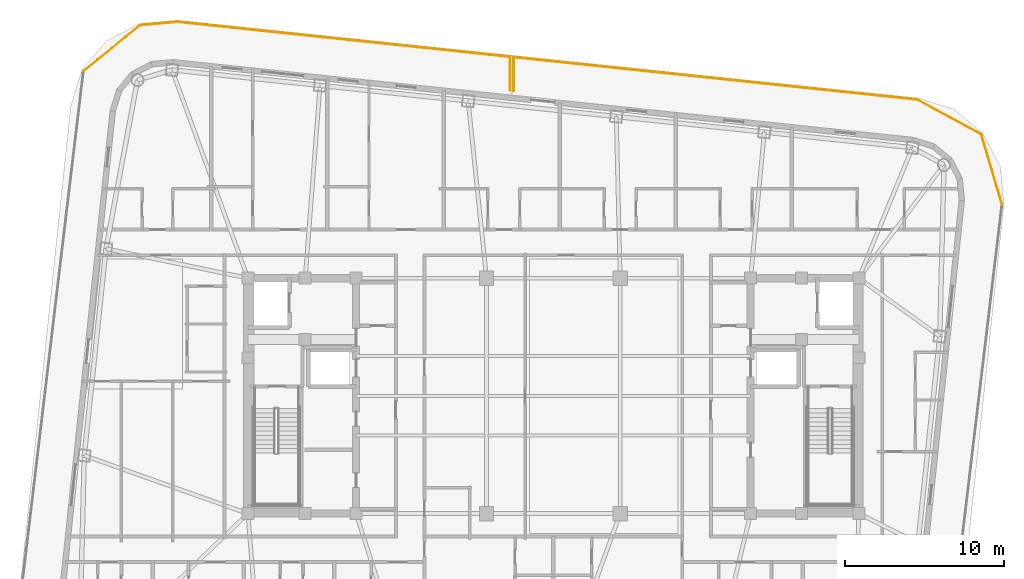
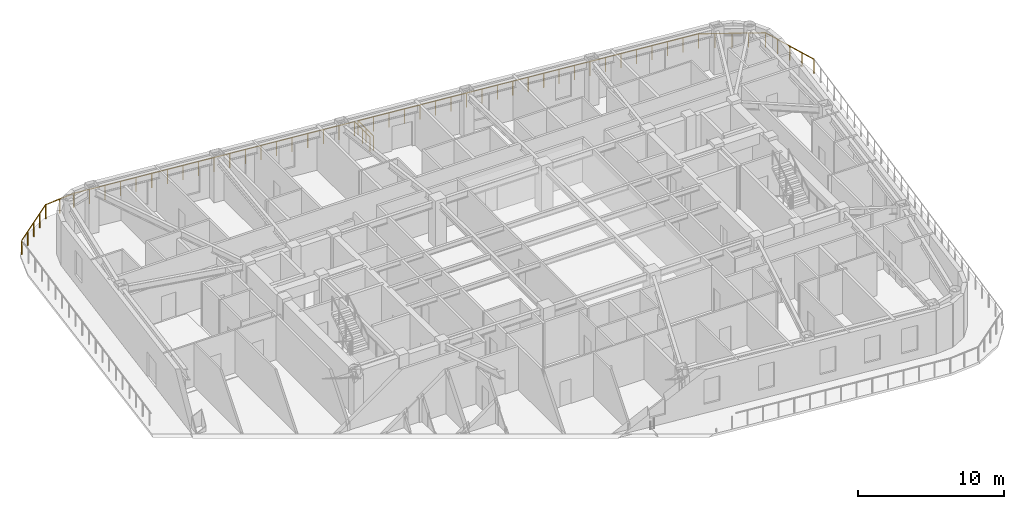
# One storey, part 14 of 14: 8 railings.
"""IFC4 building model written with IfcOpenShell, lengths in metres."""

from ifc_helpers import new_model, si_unit, direction, frame, origin, origin_2d, place, context, subcontext, project, spatial, circle, extrude, material, type_object, element, save


model = new_model("IFC4")

# Units and contexts
model_context = context("Model", 3, precision=1e-05, world=origin(), true_north=direction((0.0, 1.0)))
body_context = subcontext(model_context, "Body", "Model", "MODEL_VIEW")
ifc_project = project(units=[si_unit("LENGTHUNIT", "METRE"), si_unit("AREAUNIT", "SQUARE_METRE"), si_unit("VOLUMEUNIT", "CUBIC_METRE"), si_unit("PLANEANGLEUNIT", "RADIAN"), si_unit("MASSUNIT", "GRAM", prefix="KILO")], contexts=[model_context])

# Site, building, storey
site_placement = place(None, origin())
site = spatial("IfcSite", under=ifc_project, at=site_placement, CompositionType="ELEMENT")
building_placement = place(site_placement, origin())
building = spatial("IfcBuilding", under=site, at=building_placement, Name="Voryun Gate Residences", CompositionType="ELEMENT")
storey_placement = place(building_placement, frame((0.0, 0.0, 291.199951171875)))
storey = spatial("IfcBuildingStorey", under=building, at=storey_placement, Name="L72", CompositionType="ELEMENT", Elevation=291.199951171875)

# Railings
ifc_material = material(Name="Anodised aluminium", Category="aluminium")
railing_type = type_object("IfcRailingType", Name="RAIL_BALCONY_GUARD_1200", PredefinedType="GUARDRAIL", material=ifc_material)
railing_1_placement = place(storey_placement, frame((-29.5361328125, 20.4150390625, 0.0)))
element("IfcRailing", 1, at=railing_1_placement, inside=storey, type_object=railing_type, Name="Terrace guard RL-L72-P1L1-04", PredefinedType="GUARDRAIL", context=body_context, shape_type="SweptSolid", body=[
    extrude(circle(Radius=0.02392578125, at=origin_2d()), frame((0.0, 0.0, 1.17578125), z_axis=(0.777142956808, 0.629324101465, 0.0), x_axis=(-0.629324101465, 0.777142956808, 0.0)), (0.0, 0.0, 1.0), 4.574951171875),
    extrude(circle(Radius=0.02099609375, at=origin_2d()), origin(), (0.0, 0.0, 1.0), 1.15185546875),
    extrude(circle(Radius=0.02099609375, at=origin_2d()), frame((0.888916015625, 0.7197265625, 0.0)), (0.0, 0.0, 1.0), 1.15185546875),
    extrude(circle(Radius=0.02099609375, at=origin_2d()), frame((1.77783203125, 1.439453125, 0.0)), (0.0, 0.0, 1.0), 1.15185546875),
    extrude(circle(Radius=0.02099609375, at=origin_2d()), frame((2.66650390625, 2.159423828125, 0.0)), (0.0, 0.0, 1.0), 1.15185546875),
    extrude(circle(Radius=0.02099609375, at=origin_2d()), frame((3.555419921875, 2.879150390625, 0.0)), (0.0, 0.0, 1.0), 1.15185546875),
])
railing_2_placement = place(storey_placement, frame((-25.980712890625, 23.294189453125, 0.0)))
element("IfcRailing", 2, at=railing_2_placement, inside=storey, type_object=railing_type, Name="Terrace guard RL-L72-P1L1-05", PredefinedType="GUARDRAIL", context=body_context, shape_type="SweptSolid", body=[
    extrude(circle(Radius=0.02392578125, at=origin_2d()), frame((0.0, 0.0, 1.17578125), z_axis=(0.995802234951, 0.091530917549, 0.0), x_axis=(-0.091530917549, 0.995802234951, 0.0)), (0.0, 0.0, 1.0), 2.344482421875),
    extrude(circle(Radius=0.02099609375, at=origin_2d()), origin(), (0.0, 0.0, 1.0), 1.15185546875),
    extrude(circle(Radius=0.02099609375, at=origin_2d()), frame((1.16748046875, 0.107421875, 0.0)), (0.0, 0.0, 1.0), 1.15185546875),
    extrude(circle(Radius=0.02099609375, at=origin_2d()), frame((2.334716796875, 0.214599609375, 0.0)), (0.0, 0.0, 1.0), 1.15185546875),
])
railing_3_placement = place(storey_placement, frame((-23.64599609375, 23.5087890625, 0.0)))
element("IfcRailing", 3, at=railing_3_placement, inside=storey, type_object=railing_type, Name="Terrace guard RL-L72-P1L1-06", PredefinedType="GUARDRAIL", context=body_context, shape_type="SweptSolid", body=[
    extrude(circle(Radius=0.02392578125, at=origin_2d()), frame((0.0, 0.0, 1.17578125), z_axis=(0.994521279952, -0.1045343184, 0.0), x_axis=(0.1045343184, 0.994521279952, 0.0)), (0.0, 0.0, 1.0), 21.03125),
    extrude(circle(Radius=0.02099609375, at=origin_2d()), origin(), (0.0, 0.0, 1.0), 1.15185546875),
    extrude(circle(Radius=0.02099609375, at=origin_2d()), frame((1.162109375, -0.1220703125, 0.0)), (0.0, 0.0, 1.0), 1.15185546875),
    extrude(circle(Radius=0.02099609375, at=origin_2d()), frame((2.323974609375, -0.244384765625, 0.0)), (0.0, 0.0, 1.0), 1.15185546875),
    extrude(circle(Radius=0.02099609375, at=origin_2d()), frame((3.486083984375, -0.366455078125, 0.0)), (0.0, 0.0, 1.0), 1.15185546875),
    extrude(circle(Radius=0.02099609375, at=origin_2d()), frame((4.64794921875, -0.488525390625, 0.0)), (0.0, 0.0, 1.0), 1.15185546875),
    extrude(circle(Radius=0.02099609375, at=origin_2d()), frame((5.81005859375, -0.610595703125, 0.0)), (0.0, 0.0, 1.0), 1.15185546875),
    extrude(circle(Radius=0.02099609375, at=origin_2d()), frame((6.971923828125, -0.73291015625, 0.0)), (0.0, 0.0, 1.0), 1.15185546875),
    extrude(circle(Radius=0.02099609375, at=origin_2d()), frame((8.134033203125, -0.85498046875, 0.0)), (0.0, 0.0, 1.0), 1.15185546875),
    extrude(circle(Radius=0.02099609375, at=origin_2d()), frame((9.2958984375, -0.97705078125, 0.0)), (0.0, 0.0, 1.0), 1.15185546875),
    extrude(circle(Radius=0.02099609375, at=origin_2d()), frame((10.4580078125, -1.09912109375, 0.0)), (0.0, 0.0, 1.0), 1.15185546875),
    extrude(circle(Radius=0.02099609375, at=origin_2d()), frame((11.6201171875, -1.221435546875, 0.0)), (0.0, 0.0, 1.0), 1.15185546875),
    extrude(circle(Radius=0.02099609375, at=origin_2d()), frame((12.781982421875, -1.343505859375, 0.0)), (0.0, 0.0, 1.0), 1.15185546875),
    extrude(circle(Radius=0.02099609375, at=origin_2d()), frame((13.944091796875, -1.465576171875, 0.0)), (0.0, 0.0, 1.0), 1.15185546875),
    extrude(circle(Radius=0.02099609375, at=origin_2d()), frame((15.10595703125, -1.587890625, 0.0)), (0.0, 0.0, 1.0), 1.15185546875),
    extrude(circle(Radius=0.02099609375, at=origin_2d()), frame((16.26806640625, -1.7099609375, 0.0)), (0.0, 0.0, 1.0), 1.15185546875),
    extrude(circle(Radius=0.02099609375, at=origin_2d()), frame((17.429931640625, -1.83203125, 0.0)), (0.0, 0.0, 1.0), 1.15185546875),
    extrude(circle(Radius=0.02099609375, at=origin_2d()), frame((18.592041015625, -1.9541015625, 0.0)), (0.0, 0.0, 1.0), 1.15185546875),
    extrude(circle(Radius=0.02099609375, at=origin_2d()), frame((19.75390625, -2.076416015625, 0.0)), (0.0, 0.0, 1.0), 1.15185546875),
    extrude(circle(Radius=0.02099609375, at=origin_2d()), frame((20.916015625, -2.198486328125, 0.0)), (0.0, 0.0, 1.0), 1.15185546875),
])
railing_4_placement = place(storey_placement, frame((-2.72998046875, 21.310302734375, 0.0)))
element("IfcRailing", 4, at=railing_4_placement, inside=storey, type_object=railing_type, Name="Terrace guard RL-L72-P1L1-07", PredefinedType="GUARDRAIL", context=body_context, shape_type="SweptSolid", body=[
    extrude(circle(Radius=0.02392578125, at=origin_2d()), frame((0.0, 0.0, 1.17578125), z_axis=(0.0, -1.0, 0.0), x_axis=(1.0, 0.0, 0.0)), (0.0, 0.0, 1.0), 2.111572265625),
    extrude(circle(Radius=0.02099609375, at=origin_2d()), origin(), (0.0, 0.0, 1.0), 1.15185546875),
    extrude(circle(Radius=0.02099609375, at=origin_2d()), frame((0.0, -1.0556640625, 0.0)), (0.0, 0.0, 1.0), 1.15185546875),
    extrude(circle(Radius=0.02099609375, at=origin_2d()), frame((0.0, -2.111572265625, 0.0)), (0.0, 0.0, 1.0), 1.15185546875),
])
railing_5_placement = place(storey_placement, frame((22.8740234375, 18.619140625, 0.0)))
element("IfcRailing", 5, at=railing_5_placement, inside=storey, type_object=railing_type, Name="Terrace guard RL-L72-P2L1-01", PredefinedType="GUARDRAIL", context=body_context, shape_type="SweptSolid", body=[
    extrude(circle(Radius=0.02392578125, at=origin_2d()), frame((0.0, 0.0, 1.17578125), z_axis=(0.879072684303, -0.476687754942, 0.0), x_axis=(0.476687754942, 0.879072684303, 0.0)), (0.0, 0.0, 1.0), 4.5869140625),
    extrude(circle(Radius=0.02099609375, at=origin_2d()), origin(), (0.0, 0.0, 1.0), 1.15185546875),
    extrude(circle(Radius=0.02099609375, at=origin_2d()), frame((1.008056640625, -0.546630859375, 0.0)), (0.0, 0.0, 1.0), 1.15185546875),
    extrude(circle(Radius=0.02099609375, at=origin_2d()), frame((2.01611328125, -1.09326171875, 0.0)), (0.0, 0.0, 1.0), 1.15185546875),
    extrude(circle(Radius=0.02099609375, at=origin_2d()), frame((3.024169921875, -1.639892578125, 0.0)), (0.0, 0.0, 1.0), 1.15185546875),
    extrude(circle(Radius=0.02099609375, at=origin_2d()), frame((4.0322265625, -2.1865234375, 0.0)), (0.0, 0.0, 1.0), 1.15185546875),
])
railing_6_placement = place(storey_placement, frame((26.90625, 16.4326171875, 0.0)))
element("IfcRailing", 6, at=railing_6_placement, inside=storey, type_object=railing_type, Name="Terrace guard RL-L72-P2L1-02", PredefinedType="GUARDRAIL", context=body_context, shape_type="SweptSolid", body=[
    extrude(circle(Radius=0.02392578125, at=origin_2d()), frame((0.0, 0.0, 1.17578125), z_axis=(0.283531931686, -0.958962795793, 0.0), x_axis=(0.958962795793, 0.283531931686, 0.0)), (0.0, 0.0, 1.0), 4.5869140625),
    extrude(circle(Radius=0.02099609375, at=origin_2d()), origin(), (0.0, 0.0, 1.0), 1.15185546875),
    extrude(circle(Radius=0.02099609375, at=origin_2d()), frame((0.3251953125, -1.099609375, 0.0)), (0.0, 0.0, 1.0), 1.15185546875),
    extrude(circle(Radius=0.02099609375, at=origin_2d()), frame((0.650390625, -2.19921875, 0.0)), (0.0, 0.0, 1.0), 1.15185546875),
    extrude(circle(Radius=0.02099609375, at=origin_2d()), frame((0.975341796875, -3.299072265625, 0.0)), (0.0, 0.0, 1.0), 1.15185546875),
    extrude(circle(Radius=0.02099609375, at=origin_2d()), frame((1.300537109375, -4.398681640625, 0.0)), (0.0, 0.0, 1.0), 1.15185546875),
])
railing_7_placement = place(storey_placement, frame((-2.469970703125, 19.17138671875, 0.0)))
element("IfcRailing", 7, at=railing_7_placement, inside=storey, type_object=railing_type, Name="Terrace guard RL-L72-P2L2-01", PredefinedType="GUARDRAIL", context=body_context, shape_type="SweptSolid", body=[
    extrude(circle(Radius=0.02392578125, at=origin_2d()), frame((0.0, 0.0, 1.17578125), z_axis=(0.0, 1.0, 0.0), x_axis=(-1.0, 0.0, 0.0)), (0.0, 0.0, 1.0), 2.111572265625),
    extrude(circle(Radius=0.02099609375, at=origin_2d()), origin(), (0.0, 0.0, 1.0), 1.15185546875),
    extrude(circle(Radius=0.02099609375, at=origin_2d()), frame((0.0, 1.0556640625, 0.0)), (0.0, 0.0, 1.0), 1.15185546875),
    extrude(circle(Radius=0.02099609375, at=origin_2d()), frame((0.0, 2.111572265625, 0.0)), (0.0, 0.0, 1.0), 1.15185546875),
])
railing_8_placement = place(storey_placement, frame((-2.469970703125, 21.282958984375, 0.0)))
element("IfcRailing", 8, at=railing_8_placement, inside=storey, type_object=railing_type, Name="Terrace guard RL-L72-P2L2-02", PredefinedType="GUARDRAIL", context=body_context, shape_type="SweptSolid", body=[
    extrude(circle(Radius=0.02392578125, at=origin_2d()), frame((0.0, 0.0, 1.17578125), z_axis=(0.994521661879, -0.104530684746, 0.0), x_axis=(0.104530684746, 0.994521661879, 0.0)), (0.0, 0.0, 1.0), 25.483642578125),
    extrude(circle(Radius=0.02099609375, at=origin_2d()), origin(), (0.0, 0.0, 1.0), 1.15185546875),
    extrude(circle(Radius=0.02099609375, at=origin_2d()), frame((1.152099609375, -0.12109375, 0.0)), (0.0, 0.0, 1.0), 1.15185546875),
    extrude(circle(Radius=0.02099609375, at=origin_2d()), frame((2.303955078125, -0.2421875, 0.0)), (0.0, 0.0, 1.0), 1.15185546875),
    extrude(circle(Radius=0.02099609375, at=origin_2d()), frame((3.4560546875, -0.36328125, 0.0)), (0.0, 0.0, 1.0), 1.15185546875),
    extrude(circle(Radius=0.02099609375, at=origin_2d()), frame((4.60791015625, -0.484375, 0.0)), (0.0, 0.0, 1.0), 1.15185546875),
    extrude(circle(Radius=0.02099609375, at=origin_2d()), frame((5.760009765625, -0.60546875, 0.0)), (0.0, 0.0, 1.0), 1.15185546875),
    extrude(circle(Radius=0.02099609375, at=origin_2d()), frame((6.912109375, -0.7265625, 0.0)), (0.0, 0.0, 1.0), 1.15185546875),
    extrude(circle(Radius=0.02099609375, at=origin_2d()), frame((8.06396484375, -0.84765625, 0.0)), (0.0, 0.0, 1.0), 1.15185546875),
    extrude(circle(Radius=0.02099609375, at=origin_2d()), frame((9.216064453125, -0.96875, 0.0)), (0.0, 0.0, 1.0), 1.15185546875),
    extrude(circle(Radius=0.02099609375, at=origin_2d()), frame((10.367919921875, -1.08984375, 0.0)), (0.0, 0.0, 1.0), 1.15185546875),
    extrude(circle(Radius=0.02099609375, at=origin_2d()), frame((11.52001953125, -1.2109375, 0.0)), (0.0, 0.0, 1.0), 1.15185546875),
    extrude(circle(Radius=0.02099609375, at=origin_2d()), frame((12.671875, -1.33203125, 0.0)), (0.0, 0.0, 1.0), 1.15185546875),
    extrude(circle(Radius=0.02099609375, at=origin_2d()), frame((13.823974609375, -1.452880859375, 0.0)), (0.0, 0.0, 1.0), 1.15185546875),
    extrude(circle(Radius=0.02099609375, at=origin_2d()), frame((14.97607421875, -1.573974609375, 0.0)), (0.0, 0.0, 1.0), 1.15185546875),
    extrude(circle(Radius=0.02099609375, at=origin_2d()), frame((16.1279296875, -1.695068359375, 0.0)), (0.0, 0.0, 1.0), 1.15185546875),
    extrude(circle(Radius=0.02099609375, at=origin_2d()), frame((17.280029296875, -1.816162109375, 0.0)), (0.0, 0.0, 1.0), 1.15185546875),
    extrude(circle(Radius=0.02099609375, at=origin_2d()), frame((18.431884765625, -1.937255859375, 0.0)), (0.0, 0.0, 1.0), 1.15185546875),
    extrude(circle(Radius=0.02099609375, at=origin_2d()), frame((19.583984375, -2.058349609375, 0.0)), (0.0, 0.0, 1.0), 1.15185546875),
    extrude(circle(Radius=0.02099609375, at=origin_2d()), frame((20.736083984375, -2.179443359375, 0.0)), (0.0, 0.0, 1.0), 1.15185546875),
    extrude(circle(Radius=0.02099609375, at=origin_2d()), frame((21.887939453125, -2.300537109375, 0.0)), (0.0, 0.0, 1.0), 1.15185546875),
    extrude(circle(Radius=0.02099609375, at=origin_2d()), frame((23.0400390625, -2.421630859375, 0.0)), (0.0, 0.0, 1.0), 1.15185546875),
    extrude(circle(Radius=0.02099609375, at=origin_2d()), frame((24.19189453125, -2.542724609375, 0.0)), (0.0, 0.0, 1.0), 1.15185546875),
    extrude(circle(Radius=0.02099609375, at=origin_2d()), frame((25.343994140625, -2.663818359375, 0.0)), (0.0, 0.0, 1.0), 1.15185546875),
])

save(model, "model.ifc")
